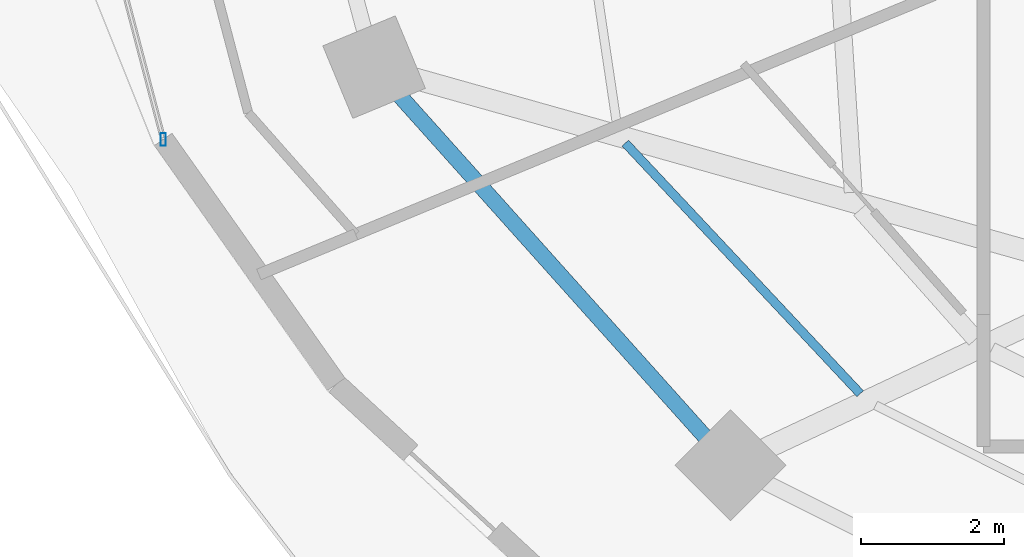
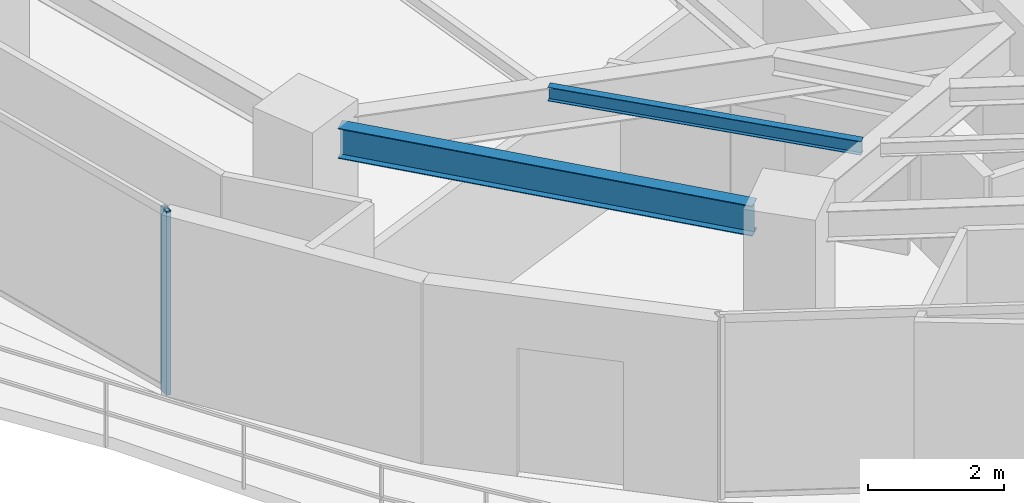
# One storey, part 3 of 31: 2 beams, 1 member, 1 element without a shape of its own.
"""IFC4 building model written with IfcOpenShell, lengths in metres."""

from ifc_helpers import new_model, si_unit, direction, frame, origin, origin_2d, place, context, subcontext, project, spatial, hollow_rectangle, i_section, extrude, material, material_profile, profile_set, type_object, element, aggregate, save


model = new_model("IFC4")

# Units and contexts
model_context = context("Model", 3, precision=1e-05, world=origin(), true_north=direction((0.0, 1.0)))
body_context = subcontext(model_context, "Body", "Model", "MODEL_VIEW")
ifc_project = project(units=[si_unit("LENGTHUNIT", "METRE"), si_unit("AREAUNIT", "SQUARE_METRE"), si_unit("VOLUMEUNIT", "CUBIC_METRE"), si_unit("PLANEANGLEUNIT", "RADIAN"), si_unit("MASSUNIT", "GRAM", prefix="KILO")], contexts=[model_context])

# Site, building, storey
site_placement = place(None, origin())
site = spatial("IfcSite", under=ifc_project, at=site_placement, CompositionType="ELEMENT")
building_placement = place(site_placement, origin())
building = spatial("IfcBuilding", under=site, at=building_placement, Name="Vorneva Point Tower", CompositionType="ELEMENT")
storey_placement = place(building_placement, frame((0.0, 0.0, 103.300048828125)))
storey = spatial("IfcBuildingStorey", under=building, at=storey_placement, Name="L27", CompositionType="ELEMENT", Elevation=103.300048828125)

# Beams
ifc_material_1 = material(Name="Steel S355", Category="steel")
ifc_material_profile_1 = material_profile(ifc_material_1, i_section(OverallWidth=0.1240234375, OverallDepth=0.248046875, WebThickness=0.0048828125, FlangeThickness=0.008056640625, at=origin_2d()), Name="25B1")
ifc_profile_set_1 = profile_set([ifc_material_profile_1], Name="Steel S355")
beam_type_1 = type_object("IfcBeamType", Name="BM-JST-25B1", PredefinedType="JOIST", material=ifc_profile_set_1)
beam_1_placement = place(storey_placement, frame((20.226806640625, 18.352294921875, 3.115966796875), z_axis=(0.683897278678, -0.72957831123, 0.0), x_axis=(0.72957831123, 0.683897278678, 0.0)))
element("IfcBeam", 1, at=beam_1_placement, inside=storey, type_object=beam_type_1, Name="L27 Secondary Floor Beam 1.10", PredefinedType="JOIST", context=body_context, shape_type="SweptSolid", body=[
    extrude(i_section(OverallWidth=0.1240234375, OverallDepth=0.248046875, WebThickness=0.0048828125, FlangeThickness=0.008056640625, at=origin_2d()), origin(), (0.0, 0.0, 1.0), 4.8154296875),
])
ifc_material_profile_2 = material_profile(ifc_material_1, i_section(OverallWidth=0.219970703125, OverallDepth=0.54296875, WebThickness=0.009521484375, FlangeThickness=0.013427734375, at=origin_2d()), Name="55B1")
ifc_profile_set_2 = profile_set([ifc_material_profile_2], Name="Steel S355")
beam_type_2 = type_object("IfcBeamType", Name="BM-SPN-55B1", PredefinedType="SPANDREL", material=ifc_profile_set_2)
beam_2_placement = place(storey_placement, frame((17.0615234375, 19.019287109375, 2.968505859375), z_axis=(0.667073815664, -0.744991627105, 0.0), x_axis=(0.744991627105, 0.667073815664, 0.0)))
element("IfcBeam", 2, at=beam_2_placement, inside=storey, type_object=beam_type_2, Name="L27 Perimeter Spandrel Ring Beam 10", PredefinedType="SPANDREL", context=body_context, shape_type="SweptSolid", body=[
    extrude(i_section(OverallWidth=0.219970703125, OverallDepth=0.54296875, WebThickness=0.009521484375, FlangeThickness=0.013427734375, at=origin_2d()), origin(), (0.0, 0.0, 1.0), 6.420166015625),
])

# Curtain wall, member
ifc_material_2 = material(Name="Pale anodised aluminium", Category="aluminium")
curtain_wall_type = type_object("IfcCurtainWallType", Name="CW-HTL-SYS", PredefinedType="NOTDEFINED", material=ifc_material_2)
curtain_wall_placement = place(storey_placement, origin())
curtain_wall = element("IfcCurtainWall", 3, at=curtain_wall_placement, inside=storey, type_object=curtain_wall_type, Name="L27 Unitised Curtain Wall CW-L27-R03", PredefinedType="NOTDEFINED")
ifc_material_profile_3 = material_profile(ifc_material_2, hollow_rectangle(XDim=0.074951171875, YDim=0.179931640625, WallThickness=0.00390625, at=origin_2d()), Name="AL-MUL 180x75x4")
ifc_profile_set_3 = profile_set([ifc_material_profile_3], Name="Pale anodised aluminium")
member_type = type_object("IfcMemberType", Name="CW-MUL-180", PredefinedType="MULLION", material=ifc_profile_set_3)
member_placement = place(storey_placement, frame((13.748291015625, 18.40380859375, -0.0400390625), z_axis=(0.0, 0.0, 1.0), x_axis=(1.0, 0.0, 0.0)))
member = element("IfcMember", 4, at=member_placement, type_object=member_type, Name="CW-L27-R03 Mullion 04", PredefinedType="MULLION", context=body_context, shape_type="SweptSolid", body=[
    extrude(hollow_rectangle(XDim=0.074951171875, YDim=0.179931640625, WallThickness=0.00390625, at=origin_2d()), origin(), (0.0, 0.0, 1.0), 3.31005859375),
])
aggregate(curtain_wall, [member])

save(model, "model.ifc")
